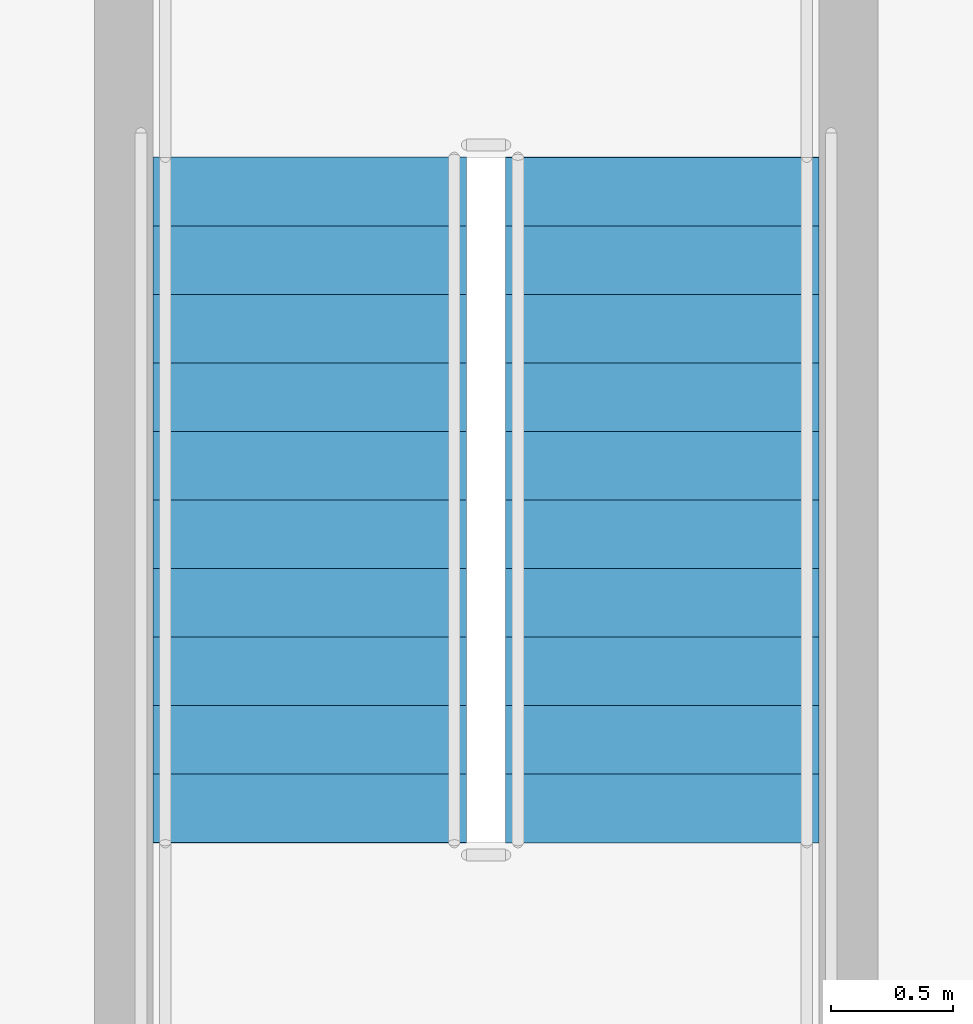
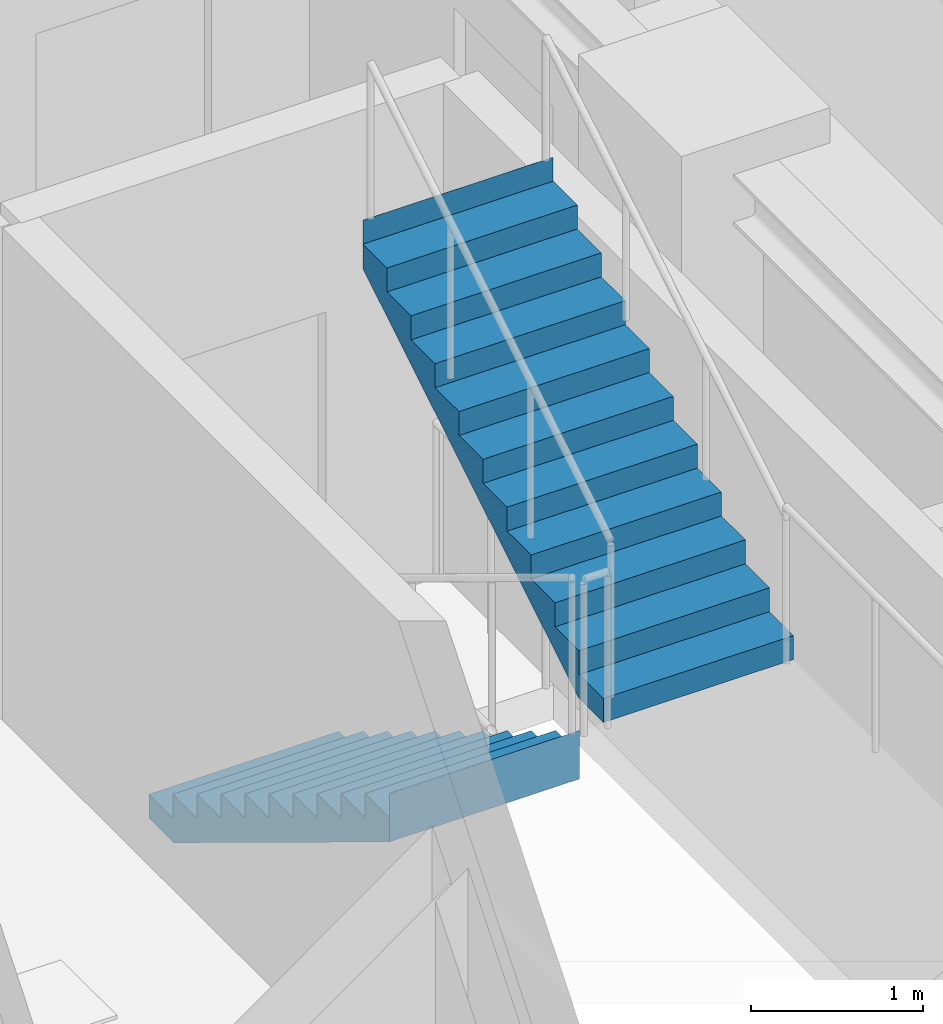
# One storey, part 9 of 12: 2 stair flights, 1 element without a shape of its own.
"""IFC4 building model written with IfcOpenShell, lengths in metres."""

from ifc_helpers import new_model, si_unit, direction, frame, origin, place, context, subcontext, project, spatial, polyline, outline, extrude, material, type_object, element, aggregate, save


model = new_model("IFC4")

# Units and contexts
model_context = context("Model", 3, precision=1e-05, world=origin(), true_north=direction((0.0, 1.0)))
body_context = subcontext(model_context, "Body", "Model", "MODEL_VIEW")
ifc_project = project(units=[si_unit("LENGTHUNIT", "METRE"), si_unit("AREAUNIT", "SQUARE_METRE"), si_unit("VOLUMEUNIT", "CUBIC_METRE"), si_unit("PLANEANGLEUNIT", "RADIAN"), si_unit("MASSUNIT", "GRAM", prefix="KILO")], contexts=[model_context])

# Site, building, storey
site_placement = place(None, origin())
site = spatial("IfcSite", under=ifc_project, at=site_placement, CompositionType="ELEMENT")
building_placement = place(site_placement, origin())
building = spatial("IfcBuilding", under=site, at=building_placement, Name="Ndelora Gate Hotel", CompositionType="ELEMENT")
storey_placement = place(building_placement, frame((0.0, 0.0, 112.25)))
storey = spatial("IfcBuildingStorey", under=building, at=storey_placement, Name="L27", CompositionType="ELEMENT", Elevation=112.25)

# Stair, stair flights
ifc_material = material(Name="Precast concrete C40/50", Category="concrete")
stair_type = type_object("IfcStairType", Name="STR-DOG-CORE", PredefinedType="HALF_TURN_STAIR", material=ifc_material)
stair_placement = place(storey_placement, origin())
stair = element("IfcStair", 1, at=stair_placement, inside=storey, type_object=stair_type, Name="L27 Protected Core Exit Stair ST5", PredefinedType="HALF_TURN_STAIR")
stair_flight_type = type_object("IfcStairFlightType", Name="STF-PRECAST", PredefinedType="STRAIGHT", material=ifc_material)
stair_flight_1_placement = place(storey_placement, frame((4.77001953125, -0.22998046875, 0.0), z_axis=(0.0, 0.0, 1.0), x_axis=(0.0, -1.0, 0.0)))
stair_flight_1 = element("IfcStairFlight", 2, at=stair_flight_1_placement, type_object=stair_flight_type, Name="ST5 flight 1", NumberOfRisers=11, NumberOfTreads=10, PredefinedType="STRAIGHT", RiserHeight=0.170454545, TreadLength=0.28, context=body_context, shape_type="SweptSolid", body=[
    extrude(outline(polyline([(-0.00048828125, 0.0), (-0.00048828125, 0.17041015625), (0.0, 0.17041015625), (0.280029296875, 0.17041015625), (0.280029296875, 0.3408203125), (0.56005859375, 0.3408203125), (0.56005859375, 0.511474609375), (0.840087890625, 0.511474609375), (0.840087890625, 0.681884765625), (1.1201171875, 0.681884765625), (1.1201171875, 0.852294921875), (1.39990234375, 0.852294921875), (1.39990234375, 1.022705078125), (1.679931640625, 1.022705078125), (1.679931640625, 1.193115234375), (1.9599609375, 1.193115234375), (1.9599609375, 1.363525390625), (2.239990234375, 1.363525390625), (2.239990234375, 1.5341796875), (2.52001953125, 1.5341796875), (2.52001953125, 1.70458984375), (2.800048828125, 1.70458984375), (2.800048828125, 1.875), (2.800537109375, 1.875), (2.800537109375, 1.695068359375), (2.800048828125, 1.529052734375), (0.288330078125, 0.0), (-0.00048828125, 0.0)])), frame((0.0, 0.64013671875, 0.0), z_axis=(0.0, -1.0, 0.0), x_axis=(1.0, 0.0, 0.0)), (0.0, 0.0, 1.0), 1.280029296875),
])
stair_flight_2_placement = place(storey_placement, frame((6.2099609375, -3.030029296875, 1.875), z_axis=(0.0, 0.0, 1.0), x_axis=(0.0, 1.0, 0.0)))
stair_flight_2 = element("IfcStairFlight", 3, at=stair_flight_2_placement, type_object=stair_flight_type, Name="ST5 flight 2", NumberOfRisers=11, NumberOfTreads=10, PredefinedType="STRAIGHT", RiserHeight=0.170454545, TreadLength=0.28, context=body_context, shape_type="SweptSolid", body=[
    extrude(outline(polyline([(-0.00048828125, 0.0), (-0.00048828125, 0.17041015625), (0.0, 0.17041015625), (0.280029296875, 0.17041015625), (0.280029296875, 0.3408203125), (0.56005859375, 0.3408203125), (0.56005859375, 0.511474609375), (0.840087890625, 0.511474609375), (0.840087890625, 0.681884765625), (1.1201171875, 0.681884765625), (1.1201171875, 0.852294921875), (1.39990234375, 0.852294921875), (1.39990234375, 1.022705078125), (1.679931640625, 1.022705078125), (1.679931640625, 1.193115234375), (1.9599609375, 1.193115234375), (1.9599609375, 1.363525390625), (2.239990234375, 1.363525390625), (2.239990234375, 1.5341796875), (2.52001953125, 1.5341796875), (2.52001953125, 1.70458984375), (2.800048828125, 1.70458984375), (2.800048828125, 1.875), (2.800537109375, 1.875), (2.800537109375, 1.695068359375), (2.800048828125, 1.529052734375), (0.288330078125, 0.0), (-0.00048828125, 0.0)])), frame((0.0, 0.64013671875, 0.0), z_axis=(0.0, -1.0, 0.0), x_axis=(1.0, 0.0, 0.0)), (0.0, 0.0, 1.0), 1.280029296875),
])
aggregate(stair, [stair_flight_1, stair_flight_2])

save(model, "model.ifc")
